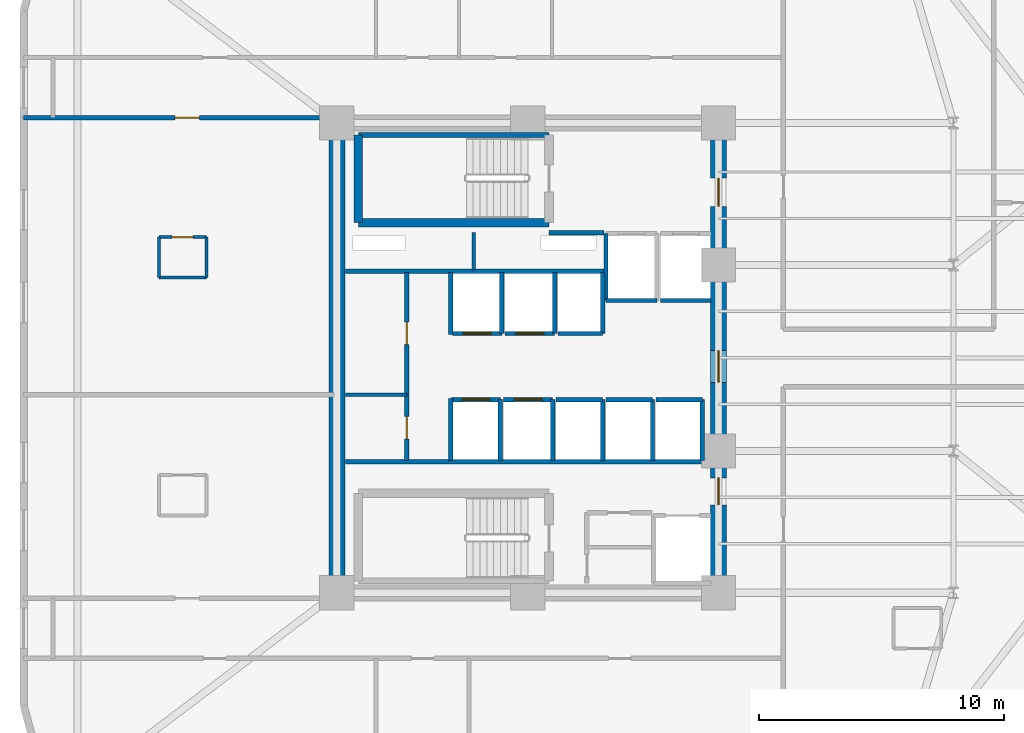
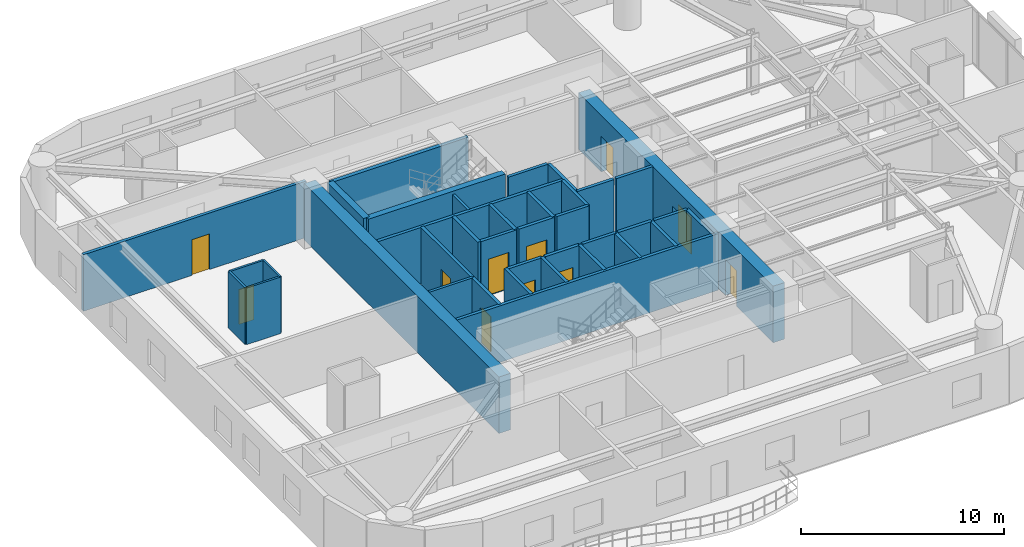
# One storey, part 11 of 16: 38 walls, 11 doors, 11 openings.
"""IFC4 building model written with IfcOpenShell, lengths in metres."""

import ifcopenshell
import ifcopenshell.guid

model = None  # the IFC model being written
_history = None  # IfcOwnerHistory: only IFC2X3 demands one
_inside = {}  # id of a spatial element -> (the spatial element, [elements in it])
_under = {}  # id of a project, library or spatial element -> (it, [spatial elements below it])
_declared = {}  # id of a project -> (the project, [libraries it declares])
_typed = {}  # id of a type object -> (the type object, [elements of that type])
_made_of = {}  # id of a material, layer set ... -> (it, [elements and type objects made of it])


def new_model(schema):
    """Start an empty IFC model of exactly this schema.

    Asked for "IFC4X3", IfcOpenShell would pick the latest addendum, in which some entities
    have other attributes; the version numbers below select the first issue.
    IFC2X3 requires an IfcOwnerHistory on every rooted entity: one is made here for all.
    """
    global model, _history
    if schema == "IFC4X3":
        model = ifcopenshell.file(schema_version=(4, 3, 0, 0))
    else:
        model = ifcopenshell.file(schema=schema)
    _inside.clear()
    _under.clear()
    _declared.clear()
    _typed.clear()
    _made_of.clear()
    _history = None
    if model.schema == "IFC2X3":
        org = make("IfcOrganization", Name="unknown")
        user = make(
            "IfcPersonAndOrganization",
            ThePerson=make("IfcPerson", FamilyName="unknown"),
            TheOrganization=org,
        )
        app = make(
            "IfcApplication",
            ApplicationDeveloper=org,
            Version="unknown",
            ApplicationFullName="unknown",
            ApplicationIdentifier="unknown",
        )
        _history = make(
            "IfcOwnerHistory",
            OwningUser=user,
            OwningApplication=app,
            ChangeAction="ADDED",
            CreationDate=0,
        )
    return model


def make(cls, **values):
    """One entity of the class cls with the attributes given. An attribute that is None is left unset."""
    return model.create_entity(
        cls, **{name: value for name, value in values.items() if value is not None}
    )


def rooted(cls, **values):
    """An entity with a GlobalId (a new one), such as an element, a storey or a relation."""
    return make(cls, GlobalId=ifcopenshell.guid.new(), OwnerHistory=_history, **values)


def si_unit(unit_type, name, prefix=None):
    """IfcSIUnit, for example si_unit("LENGTHUNIT", "METRE", prefix="MILLI")."""
    return make("IfcSIUnit", UnitType=unit_type, Prefix=prefix, Name=name)


def assignment(units):
    """IfcUnitAssignment: the units of a project."""
    return None if units is None else make("IfcUnitAssignment", Units=units)


def point(xyz):
    """IfcCartesianPoint."""
    return None if xyz is None else make("IfcCartesianPoint", Coordinates=xyz)


def direction(xyz):
    """IfcDirection."""
    return None if xyz is None else make("IfcDirection", DirectionRatios=xyz)


def frame(location, z_axis=None, x_axis=None):
    """IfcAxis2Placement3D, a coordinate frame: its origin and axes. An axis left out is left unset."""
    return make(
        "IfcAxis2Placement3D",
        Location=point(location),
        Axis=direction(z_axis),
        RefDirection=direction(x_axis),
    )


def frame_2d(location, x_axis=None):
    """IfcAxis2Placement2D, a coordinate frame in the plane: its origin and x axis."""
    return make(
        "IfcAxis2Placement2D", Location=point(location), RefDirection=direction(x_axis)
    )


def origin():
    """The frame at (0, 0, 0) with its axes left unset."""
    return frame((0.0, 0.0, 0.0))


def place(relative_to, where):
    """IfcLocalPlacement: puts the frame where relative to a parent placement (None: the world)."""
    return make(
        "IfcLocalPlacement", PlacementRelTo=relative_to, RelativePlacement=where
    )


def context(
    kind, dimensions, precision=None, world=None, true_north=None, identifier=None
):
    """IfcGeometricRepresentationContext, for example the 3D "Model" context."""
    return make(
        "IfcGeometricRepresentationContext",
        ContextIdentifier=identifier,
        ContextType=kind,
        CoordinateSpaceDimension=dimensions,
        Precision=precision,
        WorldCoordinateSystem=world,
        TrueNorth=true_north,
    )


def subcontext(parent, identifier, kind, view, scale=None):
    """IfcGeometricRepresentationSubContext, for example "Body" below "Model"."""
    return make(
        "IfcGeometricRepresentationSubContext",
        ContextIdentifier=identifier,
        ContextType=kind,
        ParentContext=parent,
        TargetScale=scale,
        TargetView=view,
    )


def project(units=None, contexts=None):
    """IfcProject with its units and contexts."""
    return rooted(
        "IfcProject",
        Name="project",
        RepresentationContexts=contexts,
        UnitsInContext=assignment(units),
    )


def spatial(cls, under=None, at=None, **own):
    """A site, building, storey or space (cls), placed at a placement, below another one or the project."""
    s = rooted(cls, ObjectPlacement=at, **own)
    if under is not None:
        _under.setdefault(under.id(), (under, []))[1].append(s)
    return s


def profile(cls, at=None, kind="AREA", **sizes):
    """A parametric profile (cls). Its sizes go by their IFC names, for example OverallWidth=200.0."""
    return make(cls, ProfileType=kind, Position=at, **sizes)


def rectangle(**sizes):
    """IfcRectangleProfileDef."""
    return profile("IfcRectangleProfileDef", **sizes)


def extrude(swept, where, along, depth):
    """IfcExtrudedAreaSolid: the profile swept, set in the frame where, extruded along a direction by depth."""
    return make(
        "IfcExtrudedAreaSolid",
        SweptArea=swept,
        Position=where,
        ExtrudedDirection=direction(along),
        Depth=depth,
    )


def shape(context_of_items, identifier, shape_type, items):
    """IfcShapeRepresentation: the items that make up one representation, for example the "Body"."""
    return make(
        "IfcShapeRepresentation",
        ContextOfItems=context_of_items,
        RepresentationIdentifier=identifier,
        RepresentationType=shape_type,
        Items=items,
    )


def material(Name=None, Category=None):
    """IfcMaterial."""
    return make("IfcMaterial", Name=Name, Category=Category)


def layer(
    of_material, thickness, ventilated=None, Name=None, Category=None, Priority=None
):
    """IfcMaterialLayer: one layer of a wall or slab, of a material (None: an air gap)."""
    return make(
        "IfcMaterialLayer",
        Material=of_material,
        LayerThickness=thickness,
        IsVentilated=ventilated,
        Name=Name,
        Category=Category,
        Priority=Priority,
    )


def layer_set(layers, Name=None):
    """IfcMaterialLayerSet."""
    return make("IfcMaterialLayerSet", MaterialLayers=layers, LayerSetName=Name)


def made_of(thing, what):
    """Note that an element or type object is made of a material, layer set ...; save() writes the relation."""
    if what is not None:
        _made_of.setdefault(what.id(), (what, []))[1].append(thing)
    return thing


def type_object(cls, material=None, **own):
    """A type object (cls), such as IfcWallType, which elements share."""
    return made_of(rooted(cls, **own), material)


def element(
    cls,
    number,
    at=None,
    inside=None,
    cuts=None,
    type_object=None,
    material=None,
    context=None,
    identifier="Body",
    shape_type=None,
    held_by="IfcProductDefinitionShape",
    body=None,
    shapes=None,
    **own,
):
    """One element of the class cls, such as IfcWall. Its Tag is "e" and its number.

    at: its placement. inside: the storey or other place that contains it. cuts: it is an
    opening in that element (IfcRelVoidsElement). A single representation is given by context,
    identifier, shape_type and body (its items); several are given by shapes. held_by: the class
    of the entity that holds the representations. save() writes the other relations.
    """
    e = rooted(cls, Tag="e%d" % number, ObjectPlacement=at, **own)
    if body is not None:
        shapes = [shape(context, identifier, shape_type, body)]
    if shapes is not None:
        e.Representation = make(held_by, Representations=shapes)
    if inside is not None:
        _inside.setdefault(inside.id(), (inside, []))[1].append(e)
    if cuts is not None:
        rooted(
            "IfcRelVoidsElement", RelatingBuildingElement=cuts, RelatedOpeningElement=e
        )
    if type_object is not None:
        _typed.setdefault(type_object.id(), (type_object, []))[1].append(e)
    return made_of(e, material)


def fill(opening, filler):
    """IfcRelFillsElement: the door or window that sits in an opening."""
    return rooted(
        "IfcRelFillsElement",
        RelatingOpeningElement=opening,
        RelatedBuildingElement=filler,
    )


def aggregate(whole, parts):
    """IfcRelAggregates: a whole, such as a stair, and the parts it consists of."""
    return rooted("IfcRelAggregates", RelatingObject=whole, RelatedObjects=parts)


def save(model, path):
    """Write the relations noted so far, then the file.

    IfcRelAggregates (storeys below a building ...), IfcRelContainedInSpatialStructure (elements
    in a storey), IfcRelDefinesByType, IfcRelAssociatesMaterial and IfcRelDeclares: one each for
    every whole, place, type object, material and project.
    """
    for whole, parts in _under.values():
        aggregate(whole, parts)
    for where, things in _inside.values():
        rooted(
            "IfcRelContainedInSpatialStructure",
            RelatedElements=things,
            RelatingStructure=where,
        )
    for kind, things in _typed.values():
        rooted("IfcRelDefinesByType", RelatedObjects=things, RelatingType=kind)
    for what, things in _made_of.values():
        rooted("IfcRelAssociatesMaterial", RelatedObjects=things, RelatingMaterial=what)
    for by, libraries in _declared.values():
        rooted("IfcRelDeclares", RelatingContext=by, RelatedDefinitions=libraries)
    model.write(path)


model = new_model("IFC4")

# Units and contexts
model_context = context("Model", 3, precision=1e-05, world=origin(), true_north=direction((0.0, 1.0)))
body_context = subcontext(model_context, "Body", "Model", "MODEL_VIEW")
ifc_project = project(units=[si_unit("LENGTHUNIT", "METRE"), si_unit("AREAUNIT", "SQUARE_METRE"), si_unit("VOLUMEUNIT", "CUBIC_METRE"), si_unit("PLANEANGLEUNIT", "RADIAN"), si_unit("MASSUNIT", "GRAM", prefix="KILO")], contexts=[model_context])

# Site, building, storey
site_placement = place(None, origin())
site = spatial("IfcSite", under=ifc_project, at=site_placement, CompositionType="ELEMENT")
building_placement = place(site_placement, origin())
building = spatial("IfcBuilding", under=site, at=building_placement, Name="An Khanh Terracotta Commons", CompositionType="ELEMENT")
storey_placement = place(building_placement, frame((0.0, 0.0, 107.89990234375)))
storey = spatial("IfcBuildingStorey", under=building, at=storey_placement, Name="L28", CompositionType="ELEMENT", Elevation=107.89990234375)

# Wall
ifc_material_1 = material(Name="Concrete C60/75", Category="concrete")
ifc_layer_1 = layer(ifc_material_1, 0.64990234375, Name="Concrete C60/75")
ifc_layer_set_1 = layer_set([ifc_layer_1], Name="Concrete C60/75")
wall_type_1 = type_object("IfcWallType", Name="WALL-CORE-650", PredefinedType="SHEAR", material=ifc_layer_set_1)
wall_1_placement = place(storey_placement, frame((21.60009765625, 14.39990234375, 0.0), z_axis=(0.0, 0.0, 1.0), x_axis=(0.0, 1.0, 0.0)))
element("IfcWall", 1, at=wall_1_placement, inside=storey, type_object=wall_type_1, Name="L28 Core Wall CWALL-L28-W", PredefinedType="SHEAR", context=body_context, shape_type="SweptSolid", body=[
    extrude(rectangle(XDim=19.2001953125, YDim=0.64990234375, at=frame_2d((9.60009765625, 0.0))), origin(), (0.0, 0.0, 1.0), 3.400146484375),
])

# Wall, openings, doors
wall_2_placement = place(storey_placement, frame((37.199951171875, 14.39990234375, 0.0), z_axis=(0.0, 0.0, 1.0), x_axis=(0.0, 1.0, 0.0)))
wall_2 = element("IfcWall", 2, at=wall_2_placement, inside=storey, type_object=wall_type_1, Name="L28 Core Wall CWALL-L28-E", PredefinedType="SHEAR", context=body_context, shape_type="SweptSolid", body=[
    extrude(rectangle(XDim=19.2001953125, YDim=0.64990234375, at=frame_2d((9.60009765625, 0.0))), origin(), (0.0, 0.0, 1.0), 3.400146484375),
])
opening_1_placement = place(wall_2_placement, frame((15.800048828125, 0.0, 0.0)))
opening_1 = element("IfcOpeningElement", 3, at=opening_1_placement, cuts=wall_2, Name="Opening D-FFL", PredefinedType="OPENING", context=body_context, shape_type="SweptSolid", body=[
    extrude(rectangle(XDim=1.14990234375, YDim=2.14990234375, at=frame_2d((0.574951171875, 1.074951171875))), frame((0.0, 0.3349609375, 0.0), z_axis=(0.0, -1.0, 0.0), x_axis=(1.0, 0.0, 0.0)), (0.0, 0.0, 1.0), 0.669921875),
])
opening_2_placement = place(wall_2_placement, frame((3.60009765625, 0.0, 0.0)))
opening_2 = element("IfcOpeningElement", 4, at=opening_2_placement, cuts=wall_2, Name="Opening D-ST", PredefinedType="OPENING", context=body_context, shape_type="SweptSolid", body=[
    extrude(rectangle(XDim=1.10009765625, YDim=2.14990234375, at=frame_2d((0.550048828125, 1.074951171875))), frame((0.0, 0.3349609375, 0.0), z_axis=(0.0, -1.0, 0.0), x_axis=(1.0, 0.0, 0.0)), (0.0, 0.0, 1.0), 0.669921875),
])
opening_3_placement = place(wall_2_placement, frame((8.60009765625, 0.0, 0.0)))
opening_3 = element("IfcOpeningElement", 5, at=opening_3_placement, cuts=wall_2, Name="Opening D-COR", PredefinedType="OPENING", context=body_context, shape_type="SweptSolid", body=[
    extrude(rectangle(XDim=1.300048828125, YDim=2.199951171875, at=frame_2d((0.64990234375, 1.10009765625))), frame((0.0, 0.3349609375, 0.0), z_axis=(0.0, -1.0, 0.0), x_axis=(1.0, 0.0, 0.0)), (0.0, 0.0, 1.0), 0.669921875),
])
ifc_material_2 = material(Name="Fire-Rated Glazed Steel Double Door", Category="steel")
door_type_1 = type_object("IfcDoorType", Name="DOOR-CORR-1300", OperationType="NOTDEFINED", PredefinedType="DOOR", material=ifc_material_2)
door_1_placement = place(opening_3_placement, origin())
door_1 = element("IfcDoor", 6, at=door_1_placement, inside=storey, type_object=door_type_1, Name="L28 Passenger Lift Lobby Double Door", OperationType="DOUBLE_DOOR_SINGLE_SWING", OverallHeight=2.199951171875, OverallWidth=1.300048828125, PredefinedType="DOOR", context=body_context, shape_type="SweptSolid", body=[
    extrude(rectangle(XDim=1.300048828125, YDim=2.199951171875, at=frame_2d((0.64990234375, 1.10009765625))), frame((0.0, 0.02490234375, 0.0), z_axis=(0.0, -1.0, 0.0), x_axis=(1.0, 0.0, 0.0)), (0.0, 0.0, 1.0), 0.050048828125),
])
fill(opening_3, door_1)
ifc_material_3 = material(Name="Fire-Rated Steel Leaf and Vision Panel", Category="steel")
door_type_2 = type_object("IfcDoorType", Name="DOOR-FFL-1150", OperationType="NOTDEFINED", PredefinedType="DOOR", material=ifc_material_3)
door_2_placement = place(opening_1_placement, origin())
door_2 = element("IfcDoor", 7, at=door_2_placement, inside=storey, type_object=door_type_2, Name="L28 Firefighting Lift Lobby Fire Door", OperationType="SINGLE_SWING_LEFT", OverallHeight=2.14990234375, OverallWidth=1.14990234375, PredefinedType="DOOR", context=body_context, shape_type="SweptSolid", body=[
    extrude(rectangle(XDim=1.14990234375, YDim=2.14990234375, at=frame_2d((0.574951171875, 1.074951171875))), frame((0.0, 0.02490234375, 0.0), z_axis=(0.0, -1.0, 0.0), x_axis=(1.0, 0.0, 0.0)), (0.0, 0.0, 1.0), 0.050048828125),
])
fill(opening_1, door_2)
ifc_material_4 = material(Name="Fire-Rated Steel Leaf and Frame", Category="steel")
door_type_3 = type_object("IfcDoorType", Name="DOOR-STAIR-1100", OperationType="NOTDEFINED", PredefinedType="DOOR", material=ifc_material_4)
door_3_placement = place(opening_2_placement, origin())
door_3 = element("IfcDoor", 8, at=door_3_placement, inside=storey, type_object=door_type_3, Name="L28 South Stair Lobby Fire Door", OperationType="SINGLE_SWING_RIGHT", OverallHeight=2.14990234375, OverallWidth=1.10009765625, PredefinedType="DOOR", context=body_context, shape_type="SweptSolid", body=[
    extrude(rectangle(XDim=1.10009765625, YDim=2.14990234375, at=frame_2d((0.550048828125, 1.074951171875))), frame((0.0, 0.02490234375, 0.0), z_axis=(0.0, -1.0, 0.0), x_axis=(1.0, 0.0, 0.0)), (0.0, 0.0, 1.0), 0.050048828125),
])
fill(opening_2, door_3)

# Walls
ifc_material_5 = material(Name="Fire-Rated Gypsum Board on Steel Stud", Category="steel")
ifc_layer_2 = layer(ifc_material_5, 0.179931640625, Name="Fire-Rated Gypsum Board on Steel Stud")
ifc_layer_set_2 = layer_set([ifc_layer_2], Name="Fire-Rated Gypsum Board on Steel Stud")
wall_type_2 = type_object("IfcWallType", Name="WALL-CORR-180", PredefinedType="PARTITIONING", material=ifc_layer_set_2)
wall_3_placement = place(storey_placement, frame((30.27001953125, 29.1201171875, 0.0), z_axis=(0.0, 0.0, 1.0), x_axis=(1.0, 0.0, 0.0)))
element("IfcWall", 9, at=wall_3_placement, inside=storey, type_object=wall_type_2, Name="L28 Core Wall FFLW-L28-S", PredefinedType="PARTITIONING", context=body_context, shape_type="SweptSolid", body=[
    extrude(rectangle(XDim=2.239990234375, YDim=0.179931640625, at=frame_2d((1.1201171875, 0.0))), origin(), (0.0, 0.0, 1.0), 3.400146484375),
])
wall_4_placement = place(storey_placement, frame((21.949951171875, 27.5400390625, 0.0), z_axis=(0.0, 0.0, 1.0), x_axis=(1.0, 0.0, 0.0)))
element("IfcWall", 10, at=wall_4_placement, inside=storey, type_object=wall_type_2, Name="L28 Core Wall RSRW-L28-S", PredefinedType="PARTITIONING", context=body_context, shape_type="SweptSolid", body=[
    extrude(rectangle(XDim=10.56005859375, YDim=0.179931640625, at=frame_2d((5.280029296875, 0.0))), origin(), (0.0, 0.0, 1.0), 3.400146484375),
])
wall_5_placement = place(storey_placement, frame((21.949951171875, 19.760009765625, 0.0), z_axis=(0.0, 0.0, 1.0), x_axis=(1.0, 0.0, 0.0)))
element("IfcWall", 11, at=wall_5_placement, inside=storey, type_object=wall_type_2, Name="L28 Core Wall SVW-L28-N", PredefinedType="PARTITIONING", context=body_context, shape_type="SweptSolid", body=[
    extrude(rectangle(XDim=14.8701171875, YDim=0.179931640625, at=frame_2d((7.43505859375, 0.0))), origin(), (0.0, 0.0, 1.0), 3.400146484375),
])
wall_6_placement = place(storey_placement, frame((34.679931640625, 26.35009765625, 0.0), z_axis=(0.0, 0.0, 1.0), x_axis=(-1.0, 0.0, 0.0)))
element("IfcWall", 12, at=wall_6_placement, inside=storey, type_object=wall_type_2, Name="L28 Core Wall LSH-L28-FFL-01-S", PredefinedType="PARTITIONING", context=body_context, shape_type="SweptSolid", body=[
    extrude(rectangle(XDim=2.079833984375, YDim=0.179931640625, at=frame_2d((1.0400390625, 0.0))), origin(), (0.0, 0.0, 1.0), 3.400146484375),
])
wall_7_placement = place(storey_placement, frame((32.60009765625, 29.080078125, 0.0), z_axis=(0.0, 0.0, 1.0), x_axis=(0.0, -1.0, 0.0)))
element("IfcWall", 13, at=wall_7_placement, inside=storey, type_object=wall_type_2, Name="L28 Core Wall LSH-L28-FFL-01-W", PredefinedType="PARTITIONING", context=body_context, shape_type="SweptSolid", body=[
    extrude(rectangle(XDim=2.72998046875, YDim=0.179931640625, at=frame_2d((1.364990234375, 0.0))), origin(), (0.0, 0.0, 1.0), 3.400146484375),
])
wall_8_placement = place(storey_placement, frame((36.89990234375, 26.35009765625, 0.0), z_axis=(0.0, 0.0, 1.0), x_axis=(-1.0, 0.0, 0.0)))
element("IfcWall", 14, at=wall_8_placement, inside=storey, type_object=wall_type_2, Name="L28 Core Wall LSH-L28-FFL-02-S", PredefinedType="PARTITIONING", context=body_context, shape_type="SweptSolid", body=[
    extrude(rectangle(XDim=2.079833984375, YDim=0.179931640625, at=frame_2d((1.0400390625, 0.0))), origin(), (0.0, 0.0, 1.0), 3.400146484375),
])

# Wall, opening, door
wall_9_placement = place(storey_placement, frame((28.340087890625, 25.0, 0.0), z_axis=(0.0, 0.0, 1.0), x_axis=(-1.0, 0.0, 0.0)))
wall_9 = element("IfcWall", 15, at=wall_9_placement, inside=storey, type_object=wall_type_2, Name="L28 Core Wall LSH-L28-PL-M1-S", PredefinedType="PARTITIONING", context=body_context, shape_type="SweptSolid", body=[
    extrude(rectangle(XDim=2.02001953125, YDim=0.179931640625, at=frame_2d((1.010009765625, 0.0))), origin(), (0.0, 0.0, 1.0), 3.400146484375),
])
opening_4_placement = place(wall_9_placement, frame((0.43505859375, 0.0, 0.0)))
opening_4 = element("IfcOpeningElement", 16, at=opening_4_placement, cuts=wall_9, Name="Opening LD-PL-M1-L28", PredefinedType="OPENING", context=body_context, shape_type="SweptSolid", body=[
    extrude(rectangle(XDim=1.14990234375, YDim=2.199951171875, at=frame_2d((0.574951171875, 1.10009765625))), frame((0.0, 0.099853515625, 0.0), z_axis=(0.0, -1.0, 0.0), x_axis=(1.0, 0.0, 0.0)), (0.0, 0.0, 1.0), 0.199951171875),
])
ifc_material_6 = material(Name="Brushed Stainless Steel Passenger Landing Door", Category="steel")
door_type_4 = type_object("IfcDoorType", Name="DOOR-LD-PAX-1150", OperationType="NOTDEFINED", PredefinedType="DOOR", material=ifc_material_6)
door_4_placement = place(opening_4_placement, origin())
door_4 = element("IfcDoor", 17, at=door_4_placement, inside=storey, type_object=door_type_4, Name="L28 Lift PL-M1 Sliding Landing Door", OperationType="DOUBLE_DOOR_SLIDING", OverallHeight=2.199951171875, OverallWidth=1.14990234375, PredefinedType="DOOR", context=body_context, shape_type="SweptSolid", body=[
    extrude(rectangle(XDim=1.14990234375, YDim=2.199951171875, at=frame_2d((0.574951171875, 1.10009765625))), frame((0.0, 0.02490234375, 0.0), z_axis=(0.0, -1.0, 0.0), x_axis=(1.0, 0.0, 0.0)), (0.0, 0.0, 1.0), 0.050048828125),
])
fill(opening_4, door_4)

# Wall
wall_10_placement = place(storey_placement, frame((28.340087890625, 25.0, 0.0), z_axis=(0.0, 0.0, 1.0), x_axis=(0.0, 1.0, 0.0)))
element("IfcWall", 18, at=wall_10_placement, inside=storey, type_object=wall_type_2, Name="L28 Core Wall LSH-L28-PL-M1-E", PredefinedType="PARTITIONING", context=body_context, shape_type="SweptSolid", body=[
    extrude(rectangle(XDim=2.5, YDim=0.179931640625, at=frame_2d((1.25, 0.0))), origin(), (0.0, 0.0, 1.0), 3.400146484375),
])

# Wall, opening, door
wall_11_placement = place(storey_placement, frame((30.5, 25.0, 0.0), z_axis=(0.0, 0.0, 1.0), x_axis=(-1.0, 0.0, 0.0)))
wall_11 = element("IfcWall", 19, at=wall_11_placement, inside=storey, type_object=wall_type_2, Name="L28 Core Wall LSH-L28-PL-M2-S", PredefinedType="PARTITIONING", context=body_context, shape_type="SweptSolid", body=[
    extrude(rectangle(XDim=2.02001953125, YDim=0.179931640625, at=frame_2d((1.010009765625, 0.0))), origin(), (0.0, 0.0, 1.0), 3.400146484375),
])
opening_5_placement = place(wall_11_placement, frame((0.43505859375, 0.0, 0.0)))
opening_5 = element("IfcOpeningElement", 20, at=opening_5_placement, cuts=wall_11, Name="Opening LD-PL-M2-L28", PredefinedType="OPENING", context=body_context, shape_type="SweptSolid", body=[
    extrude(rectangle(XDim=1.14990234375, YDim=2.199951171875, at=frame_2d((0.574951171875, 1.10009765625))), frame((0.0, 0.099853515625, 0.0), z_axis=(0.0, -1.0, 0.0), x_axis=(1.0, 0.0, 0.0)), (0.0, 0.0, 1.0), 0.199951171875),
])
door_5_placement = place(opening_5_placement, origin())
door_5 = element("IfcDoor", 21, at=door_5_placement, inside=storey, type_object=door_type_4, Name="L28 Lift PL-M2 Sliding Landing Door", OperationType="DOUBLE_DOOR_SLIDING", OverallHeight=2.199951171875, OverallWidth=1.14990234375, PredefinedType="DOOR", context=body_context, shape_type="SweptSolid", body=[
    extrude(rectangle(XDim=1.14990234375, YDim=2.199951171875, at=frame_2d((0.574951171875, 1.10009765625))), frame((0.0, 0.02490234375, 0.0), z_axis=(0.0, -1.0, 0.0), x_axis=(1.0, 0.0, 0.0)), (0.0, 0.0, 1.0), 0.050048828125),
])
fill(opening_5, door_5)

# Wall
wall_12_placement = place(storey_placement, frame((30.5, 25.0, 0.0), z_axis=(0.0, 0.0, 1.0), x_axis=(0.0, 1.0, 0.0)))
element("IfcWall", 22, at=wall_12_placement, inside=storey, type_object=wall_type_2, Name="L28 Core Wall LSH-L28-PL-M2-E", PredefinedType="PARTITIONING", context=body_context, shape_type="SweptSolid", body=[
    extrude(rectangle(XDim=2.5, YDim=0.179931640625, at=frame_2d((1.25, 0.0))), origin(), (0.0, 0.0, 1.0), 3.400146484375),
])

# Wall, opening, door
wall_13_placement = place(storey_placement, frame((26.280029296875, 22.300048828125, 0.0), z_axis=(0.0, 0.0, 1.0), x_axis=(1.0, 0.0, 0.0)))
wall_13 = element("IfcWall", 23, at=wall_13_placement, inside=storey, type_object=wall_type_2, Name="L28 Core Wall LSH-L28-PL-M3-N", PredefinedType="PARTITIONING", context=body_context, shape_type="SweptSolid", body=[
    extrude(rectangle(XDim=2.0, YDim=0.179931640625, at=frame_2d((1.0, 0.0))), origin(), (0.0, 0.0, 1.0), 3.400146484375),
])
opening_6_placement = place(wall_13_placement, frame((0.425048828125, 0.0, 0.0)))
opening_6 = element("IfcOpeningElement", 24, at=opening_6_placement, cuts=wall_13, Name="Opening LD-PL-M3-L28", PredefinedType="OPENING", context=body_context, shape_type="SweptSolid", body=[
    extrude(rectangle(XDim=1.14990234375, YDim=2.199951171875, at=frame_2d((0.574951171875, 1.10009765625))), frame((0.0, 0.099853515625, 0.0), z_axis=(0.0, -1.0, 0.0), x_axis=(1.0, 0.0, 0.0)), (0.0, 0.0, 1.0), 0.199951171875),
])
door_6_placement = place(opening_6_placement, origin())
door_6 = element("IfcDoor", 25, at=door_6_placement, inside=storey, type_object=door_type_4, Name="L28 Lift PL-M3 Sliding Landing Door", OperationType="DOUBLE_DOOR_SLIDING", OverallHeight=2.199951171875, OverallWidth=1.14990234375, PredefinedType="DOOR", context=body_context, shape_type="SweptSolid", body=[
    extrude(rectangle(XDim=1.14990234375, YDim=2.199951171875, at=frame_2d((0.574951171875, 1.10009765625))), frame((0.0, 0.02490234375, 0.0), z_axis=(0.0, -1.0, 0.0), x_axis=(1.0, 0.0, 0.0)), (0.0, 0.0, 1.0), 0.050048828125),
])
fill(opening_6, door_6)

# Wall
wall_14_placement = place(storey_placement, frame((28.280029296875, 19.800048828125, 0.0), z_axis=(0.0, 0.0, 1.0), x_axis=(0.0, 1.0, 0.0)))
element("IfcWall", 26, at=wall_14_placement, inside=storey, type_object=wall_type_2, Name="L28 Core Wall LSH-L28-PL-M3-E", PredefinedType="PARTITIONING", context=body_context, shape_type="SweptSolid", body=[
    extrude(rectangle(XDim=2.5, YDim=0.179931640625, at=frame_2d((1.25, 0.0))), origin(), (0.0, 0.0, 1.0), 3.400146484375),
])

# Wall, opening, door
wall_15_placement = place(storey_placement, frame((28.419921875, 22.300048828125, 0.0), z_axis=(0.0, 0.0, 1.0), x_axis=(1.0, 0.0, 0.0)))
wall_15 = element("IfcWall", 27, at=wall_15_placement, inside=storey, type_object=wall_type_2, Name="L28 Core Wall LSH-L28-PL-M4-N", PredefinedType="PARTITIONING", context=body_context, shape_type="SweptSolid", body=[
    extrude(rectangle(XDim=2.0, YDim=0.179931640625, at=frame_2d((1.0, 0.0))), origin(), (0.0, 0.0, 1.0), 3.400146484375),
])
opening_7_placement = place(wall_15_placement, frame((0.425048828125, 0.0, 0.0)))
opening_7 = element("IfcOpeningElement", 28, at=opening_7_placement, cuts=wall_15, Name="Opening LD-PL-M4-L28", PredefinedType="OPENING", context=body_context, shape_type="SweptSolid", body=[
    extrude(rectangle(XDim=1.14990234375, YDim=2.199951171875, at=frame_2d((0.574951171875, 1.10009765625))), frame((0.0, 0.099853515625, 0.0), z_axis=(0.0, -1.0, 0.0), x_axis=(1.0, 0.0, 0.0)), (0.0, 0.0, 1.0), 0.199951171875),
])
door_7_placement = place(opening_7_placement, origin())
door_7 = element("IfcDoor", 29, at=door_7_placement, inside=storey, type_object=door_type_4, Name="L28 Lift PL-M4 Sliding Landing Door", OperationType="DOUBLE_DOOR_SLIDING", OverallHeight=2.199951171875, OverallWidth=1.14990234375, PredefinedType="DOOR", context=body_context, shape_type="SweptSolid", body=[
    extrude(rectangle(XDim=1.14990234375, YDim=2.199951171875, at=frame_2d((0.574951171875, 1.10009765625))), frame((0.0, 0.02490234375, 0.0), z_axis=(0.0, -1.0, 0.0), x_axis=(1.0, 0.0, 0.0)), (0.0, 0.0, 1.0), 0.050048828125),
])
fill(opening_7, door_7)

# Walls
wall_16_placement = place(storey_placement, frame((30.419921875, 19.800048828125, 0.0), z_axis=(0.0, 0.0, 1.0), x_axis=(0.0, 1.0, 0.0)))
element("IfcWall", 30, at=wall_16_placement, inside=storey, type_object=wall_type_2, Name="L28 Core Wall LSH-L28-PL-M4-E", PredefinedType="PARTITIONING", context=body_context, shape_type="SweptSolid", body=[
    extrude(rectangle(XDim=2.5, YDim=0.179931640625, at=frame_2d((1.25, 0.0))), origin(), (0.0, 0.0, 1.0), 3.400146484375),
])
wall_17_placement = place(storey_placement, frame((32.4599609375, 25.0, 0.0), z_axis=(0.0, 0.0, 1.0), x_axis=(-1.0, 0.0, 0.0)))
element("IfcWall", 31, at=wall_17_placement, inside=storey, type_object=wall_type_2, Name="L28 Core Wall LSH-L28-PL-H1-S", PredefinedType="PARTITIONING", context=body_context, shape_type="SweptSolid", body=[
    extrude(rectangle(XDim=1.820068359375, YDim=0.179931640625, at=frame_2d((0.91015625, 0.0))), origin(), (0.0, 0.0, 1.0), 3.400146484375),
])
wall_18_placement = place(storey_placement, frame((32.4599609375, 25.0, 0.0), z_axis=(0.0, 0.0, 1.0), x_axis=(0.0, 1.0, 0.0)))
element("IfcWall", 32, at=wall_18_placement, inside=storey, type_object=wall_type_2, Name="L28 Core Wall LSH-L28-PL-H1-E", PredefinedType="PARTITIONING", context=body_context, shape_type="SweptSolid", body=[
    extrude(rectangle(XDim=2.5, YDim=0.179931640625, at=frame_2d((1.25, 0.0))), origin(), (0.0, 0.0, 1.0), 3.400146484375),
])
wall_19_placement = place(storey_placement, frame((30.56005859375, 22.300048828125, 0.0), z_axis=(0.0, 0.0, 1.0), x_axis=(1.0, 0.0, 0.0)))
element("IfcWall", 33, at=wall_19_placement, inside=storey, type_object=wall_type_2, Name="L28 Core Wall LSH-L28-PL-H2-N", PredefinedType="PARTITIONING", context=body_context, shape_type="SweptSolid", body=[
    extrude(rectangle(XDim=1.89990234375, YDim=0.179931640625, at=frame_2d((0.949951171875, 0.0))), origin(), (0.0, 0.0, 1.0), 3.400146484375),
])
wall_20_placement = place(storey_placement, frame((32.4599609375, 19.800048828125, 0.0), z_axis=(0.0, 0.0, 1.0), x_axis=(0.0, 1.0, 0.0)))
element("IfcWall", 34, at=wall_20_placement, inside=storey, type_object=wall_type_2, Name="L28 Core Wall LSH-L28-PL-H2-E", PredefinedType="PARTITIONING", context=body_context, shape_type="SweptSolid", body=[
    extrude(rectangle(XDim=2.5, YDim=0.179931640625, at=frame_2d((1.25, 0.0))), origin(), (0.0, 0.0, 1.0), 3.400146484375),
])
wall_21_placement = place(storey_placement, frame((32.60009765625, 22.300048828125, 0.0), z_axis=(0.0, 0.0, 1.0), x_axis=(1.0, 0.0, 0.0)))
element("IfcWall", 35, at=wall_21_placement, inside=storey, type_object=wall_type_2, Name="L28 Core Wall LSH-L28-PL-H3-N", PredefinedType="PARTITIONING", context=body_context, shape_type="SweptSolid", body=[
    extrude(rectangle(XDim=1.89990234375, YDim=0.179931640625, at=frame_2d((0.949951171875, 0.0))), origin(), (0.0, 0.0, 1.0), 3.400146484375),
])
wall_22_placement = place(storey_placement, frame((34.5, 19.800048828125, 0.0), z_axis=(0.0, 0.0, 1.0), x_axis=(0.0, 1.0, 0.0)))
element("IfcWall", 36, at=wall_22_placement, inside=storey, type_object=wall_type_2, Name="L28 Core Wall LSH-L28-PL-H3-E", PredefinedType="PARTITIONING", context=body_context, shape_type="SweptSolid", body=[
    extrude(rectangle(XDim=2.5, YDim=0.179931640625, at=frame_2d((1.25, 0.0))), origin(), (0.0, 0.0, 1.0), 3.400146484375),
])
wall_23_placement = place(storey_placement, frame((34.639892578125, 22.300048828125, 0.0), z_axis=(0.0, 0.0, 1.0), x_axis=(1.0, 0.0, 0.0)))
element("IfcWall", 37, at=wall_23_placement, inside=storey, type_object=wall_type_2, Name="L28 Core Wall LSH-L28-PL-H4-N", PredefinedType="PARTITIONING", context=body_context, shape_type="SweptSolid", body=[
    extrude(rectangle(XDim=1.900146484375, YDim=0.179931640625, at=frame_2d((0.9501953125, 0.0))), origin(), (0.0, 0.0, 1.0), 3.400146484375),
])
wall_24_placement = place(storey_placement, frame((36.5400390625, 19.800048828125, 0.0), z_axis=(0.0, 0.0, 1.0), x_axis=(0.0, 1.0, 0.0)))
element("IfcWall", 38, at=wall_24_placement, inside=storey, type_object=wall_type_2, Name="L28 Core Wall LSH-L28-PL-H4-E", PredefinedType="PARTITIONING", context=body_context, shape_type="SweptSolid", body=[
    extrude(rectangle(XDim=2.5, YDim=0.179931640625, at=frame_2d((1.25, 0.0))), origin(), (0.0, 0.0, 1.0), 3.400146484375),
])

# Wall, opening, door
wall_25_placement = place(storey_placement, frame((24.4599609375, 22.5, 0.0), z_axis=(0.0, 0.0, 1.0), x_axis=(0.0, 1.0, 0.0)))
wall_25 = element("IfcWall", 39, at=wall_25_placement, inside=storey, type_object=wall_type_2, Name="L28 Core Wall RECW-L28-E1", PredefinedType="PARTITIONING", context=body_context, shape_type="SweptSolid", body=[
    extrude(rectangle(XDim=5.0, YDim=0.179931640625, at=frame_2d((2.5, 0.0))), origin(), (0.0, 0.0, 1.0), 3.400146484375),
])
opening_8_placement = place(wall_25_placement, frame((2.0400390625, 0.0, 0.0)))
opening_8 = element("IfcOpeningElement", 40, at=opening_8_placement, cuts=wall_25, Name="Opening D-RM", PredefinedType="OPENING", context=body_context, shape_type="SweptSolid", body=[
    extrude(rectangle(XDim=0.919921875, YDim=2.10009765625, at=frame_2d((0.4599609375, 1.050048828125))), frame((0.0, 0.099853515625, 0.0), z_axis=(0.0, -1.0, 0.0), x_axis=(1.0, 0.0, 0.0)), (0.0, 0.0, 1.0), 0.199951171875),
])
ifc_material_7 = material(Name="Engineered Hardwood Timber Leaf", Category="wood")
door_type_5 = type_object("IfcDoorType", Name="DOOR-INT-920", OperationType="NOTDEFINED", PredefinedType="DOOR", material=ifc_material_7)
door_8_placement = place(opening_8_placement, origin())
door_8 = element("IfcDoor", 41, at=door_8_placement, inside=storey, type_object=door_type_5, Name="L28 Resident Study Pod Door", OperationType="SINGLE_SWING_LEFT", OverallHeight=2.10009765625, OverallWidth=0.919921875, PredefinedType="DOOR", context=body_context, shape_type="SweptSolid", body=[
    extrude(rectangle(XDim=0.919921875, YDim=2.10009765625, at=frame_2d((0.4599609375, 1.050048828125))), frame((0.0, 0.02490234375, 0.0), z_axis=(0.0, -1.0, 0.0), x_axis=(1.0, 0.0, 0.0)), (0.0, 0.0, 1.0), 0.050048828125),
])
fill(opening_8, door_8)

wall_26_placement = place(storey_placement, frame((24.4599609375, 19.800048828125, 0.0), z_axis=(0.0, 0.0, 1.0), x_axis=(0.0, 1.0, 0.0)))
wall_26 = element("IfcWall", 42, at=wall_26_placement, inside=storey, type_object=wall_type_2, Name="L28 Core Wall RECW-L28-E2", PredefinedType="PARTITIONING", context=body_context, shape_type="SweptSolid", body=[
    extrude(rectangle(XDim=2.699951171875, YDim=0.179931640625, at=frame_2d((1.35009765625, 0.0))), origin(), (0.0, 0.0, 1.0), 3.400146484375),
])
opening_9_placement = place(wall_26_placement, frame((0.889892578125, 0.0, 0.0)))
opening_9 = element("IfcOpeningElement", 43, at=opening_9_placement, cuts=wall_26, Name="Opening D-RM", PredefinedType="OPENING", context=body_context, shape_type="SweptSolid", body=[
    extrude(rectangle(XDim=0.919921875, YDim=2.10009765625, at=frame_2d((0.4599609375, 1.050048828125))), frame((0.0, 0.099853515625, 0.0), z_axis=(0.0, -1.0, 0.0), x_axis=(1.0, 0.0, 0.0)), (0.0, 0.0, 1.0), 0.199951171875),
])
door_9_placement = place(opening_9_placement, origin())
door_9 = element("IfcDoor", 44, at=door_9_placement, inside=storey, type_object=door_type_5, Name="L28 Communal Laundry Room Door", OperationType="SINGLE_SWING_RIGHT", OverallHeight=2.10009765625, OverallWidth=0.919921875, PredefinedType="DOOR", context=body_context, shape_type="SweptSolid", body=[
    extrude(rectangle(XDim=0.919921875, YDim=2.10009765625, at=frame_2d((0.4599609375, 1.050048828125))), frame((0.0, 0.02490234375, 0.0), z_axis=(0.0, -1.0, 0.0), x_axis=(1.0, 0.0, 0.0)), (0.0, 0.0, 1.0), 0.050048828125),
])
fill(opening_9, door_9)

# Walls
for number, where, z_axis, x_axis, name in (
    (45, (26.25, 24.949951171875, 0.0), (0.0, 0.0, 1.0), (0.0, 1.0, 0.0), "L28 Core Wall RECW-L28-BE1"),
    (46, (26.25, 19.800048828125, 0.0), (0.0, 0.0, 1.0), (0.0, 1.0, 0.0), "L28 Core Wall RECW-L28-BE2"),
):
    element("IfcWall", number, at=place(storey_placement, frame(where, z_axis=z_axis, x_axis=x_axis)), inside=storey, type_object=wall_type_2, Name=name, PredefinedType="PARTITIONING", context=body_context, shape_type="SweptSolid", body=[
        extrude(rectangle(XDim=2.550048828125, YDim=0.179931640625, at=frame_2d((1.27490234375, 0.0))), origin(), (0.0, 0.0, 1.0), 3.400146484375),
    ])

# Wall, opening, door
wall_27_placement = place(storey_placement, frame((8.800048828125, 33.820068359375, 0.0), z_axis=(0.0, 0.0, 1.0), x_axis=(1.0, 0.0, 0.0)))
wall_27 = element("IfcWall", 47, at=wall_27_placement, inside=storey, type_object=wall_type_2, Name="L28 Interior Partition IW-L28-E009", PredefinedType="PARTITIONING", context=body_context, shape_type="SweptSolid", body=[
    extrude(rectangle(XDim=12.679931640625, YDim=0.179931640625, at=frame_2d((6.33984375, 0.0))), origin(), (0.0, 0.0, 1.0), 3.400146484375),
])
opening_10_placement = place(wall_27_placement, frame((6.179931640625, 0.0, 0.0)))
opening_10 = element("IfcOpeningElement", 48, at=opening_10_placement, cuts=wall_27, Name="Opening D-UN", PredefinedType="OPENING", context=body_context, shape_type="SweptSolid", body=[
    extrude(rectangle(XDim=1.0, YDim=2.14990234375, at=frame_2d((0.5, 1.074951171875))), frame((0.0, 0.099853515625, 0.0), z_axis=(0.0, -1.0, 0.0), x_axis=(1.0, 0.0, 0.0)), (0.0, 0.0, 1.0), 0.199951171875),
])
ifc_material_8 = material(Name="Solid-Core Hardwood Acoustic Fire Door", Category="wood")
door_type_6 = type_object("IfcDoorType", Name="DOOR-UNIT-1000", OperationType="NOTDEFINED", PredefinedType="DOOR", material=ifc_material_8)
door_10_placement = place(opening_10_placement, origin())
door_10 = element("IfcDoor", 49, at=door_10_placement, inside=storey, type_object=door_type_6, Name="L28 WW2 Kitchenette and Studio Apartment Door", OperationType="SINGLE_SWING_RIGHT", OverallHeight=2.14990234375, OverallWidth=1.0, PredefinedType="DOOR", context=body_context, shape_type="SweptSolid", body=[
    extrude(rectangle(XDim=1.0, YDim=2.14990234375, at=frame_2d((0.5, 1.074951171875))), frame((0.0, 0.02490234375, 0.0), z_axis=(0.0, -1.0, 0.0), x_axis=(1.0, 0.0, 0.0)), (0.0, 0.0, 1.0), 0.050048828125),
])
fill(opening_10, door_10)

# Walls
ifc_material_9 = material(Name="Acoustic Gypsum Board Partition")
ifc_layer_3 = layer(ifc_material_9, 0.14990234375, Name="Acoustic Gypsum Board Partition")
ifc_layer_set_3 = layer_set([ifc_layer_3], Name="Acoustic Gypsum Board Partition")
wall_type_3 = type_object("IfcWallType", Name="WALL-PART-150", PredefinedType="PARTITIONING", material=ifc_layer_set_3)
wall_28_placement = place(storey_placement, frame((27.199951171875, 27.60009765625, 0.0), z_axis=(0.0, 0.0, 1.0), x_axis=(0.0, 1.0, 0.0)))
element("IfcWall", 50, at=wall_28_placement, inside=storey, type_object=wall_type_3, Name="L28 Core Wall RSRW-L28-D1", PredefinedType="PARTITIONING", context=body_context, shape_type="SweptSolid", body=[
    extrude(rectangle(XDim=1.52001953125, YDim=0.14990234375, at=frame_2d((0.760009765625, 0.0))), origin(), (0.0, 0.0, 1.0), 3.400146484375),
])
wall_29_placement = place(storey_placement, frame((21.949951171875, 22.5, 0.0), z_axis=(0.0, 0.0, 1.0), x_axis=(1.0, 0.0, 0.0)))
element("IfcWall", 51, at=wall_29_placement, inside=storey, type_object=wall_type_3, Name="L28 Core Wall RECW-L28-M", PredefinedType="PARTITIONING", context=body_context, shape_type="SweptSolid", body=[
    extrude(rectangle(XDim=2.510009765625, YDim=0.14990234375, at=frame_2d((1.2548828125, 0.0))), origin(), (0.0, 0.0, 1.0), 3.400146484375),
])
ifc_material_10 = material(Name="Acoustic Double-Stud Gypsum and Mineral Wool")
ifc_layer_4 = layer(ifc_material_10, 0.219970703125, Name="Acoustic Double-Stud Gypsum and Mineral Wool")
ifc_layer_set_4 = layer_set([ifc_layer_4], Name="Acoustic Double-Stud Gypsum and Mineral Wool")
wall_type_4 = type_object("IfcWallType", Name="WALL-PARTY-220", PredefinedType="PARTITIONING", material=ifc_layer_set_4)
wall_30_placement = place(storey_placement, frame((22.47998046875, 33.110107421875, 0.0), z_axis=(0.0, 0.0, 1.0), x_axis=(1.0, 0.0, 0.0)))
element("IfcWall", 52, at=wall_30_placement, inside=storey, type_object=wall_type_4, Name="L28 Core Wall STW-L28-N-N", PredefinedType="PARTITIONING", context=body_context, shape_type="SweptSolid", body=[
    extrude(rectangle(XDim=7.7900390625, YDim=0.219970703125, at=frame_2d((3.89501953125, 0.0))), origin(), (0.0, 0.0, 1.0), 3.400146484375),
])
ifc_material_11 = material(Name="Concrete C50/60", Category="concrete")
ifc_layer_5 = layer(ifc_material_11, 0.35009765625, Name="Concrete C50/60")
ifc_layer_set_5 = layer_set([ifc_layer_5], Name="Concrete C50/60")
wall_type_5 = type_object("IfcWallType", Name="WALL-SHAFT-350", PredefinedType="SOLIDWALL", material=ifc_layer_set_5)
wall_31_placement = place(storey_placement, frame((22.47998046875, 29.530029296875, 0.0), z_axis=(0.0, 0.0, 1.0), x_axis=(1.0, 0.0, 0.0)))
element("IfcWall", 53, at=wall_31_placement, inside=storey, type_object=wall_type_5, Name="L28 Core Wall STW-L28-N-S", PredefinedType="SOLIDWALL", context=body_context, shape_type="SweptSolid", body=[
    extrude(rectangle(XDim=7.7900390625, YDim=0.35009765625, at=frame_2d((3.89501953125, 0.0))), origin(), (0.0, 0.0, 1.0), 3.400146484375),
])
wall_32_placement = place(storey_placement, frame((22.47998046875, 29.530029296875, 0.0), z_axis=(0.0, 0.0, 1.0), x_axis=(0.0, 1.0, 0.0)))
element("IfcWall", 54, at=wall_32_placement, inside=storey, type_object=wall_type_5, Name="L28 Core Wall STW-L28-N-W", PredefinedType="SOLIDWALL", context=body_context, shape_type="SweptSolid", body=[
    extrude(rectangle(XDim=3.580078125, YDim=0.35009765625, at=frame_2d((1.7900390625, 0.0))), origin(), (0.0, 0.0, 1.0), 3.400146484375),
])

# Wall, opening, door
ifc_material_12 = material(Name="Moisture-Resistant Cement Board Partition")
ifc_layer_6 = layer(ifc_material_12, 0.1201171875, Name="Moisture-Resistant Cement Board Partition")
ifc_layer_set_6 = layer_set([ifc_layer_6], Name="Moisture-Resistant Cement Board Partition")
wall_type_6 = type_object("IfcWallType", Name="WALL-WET-120", PredefinedType="PARTITIONING", material=ifc_layer_set_6)
wall_33_placement = place(storey_placement, frame((14.324951171875, 28.93505859375, 0.0), z_axis=(0.0, 0.0, 1.0), x_axis=(1.0, 0.0, 0.0)))
wall_33 = element("IfcWall", 55, at=wall_33_placement, inside=storey, type_object=wall_type_6, Name="L28 Interior Partition IW-L28-WW2-BN", PredefinedType="PARTITIONING", context=body_context, shape_type="SweptSolid", body=[
    extrude(rectangle(XDim=1.949951171875, YDim=0.1201171875, at=frame_2d((0.97509765625, 0.0))), origin(), (0.0, 0.0, 1.0), 3.400146484375),
])
opening_11_placement = place(wall_33_placement, frame((0.544921875, 0.0, 0.0)))
opening_11 = element("IfcOpeningElement", 56, at=opening_11_placement, cuts=wall_33, Name="Opening D-ENS", PredefinedType="OPENING", context=body_context, shape_type="SweptSolid", body=[
    extrude(rectangle(XDim=0.860107421875, YDim=2.10009765625, at=frame_2d((0.43017578125, 1.050048828125))), frame((0.0, 0.070068359375, 0.0), z_axis=(0.0, -1.0, 0.0), x_axis=(1.0, 0.0, 0.0)), (0.0, 0.0, 1.0), 0.14013671875),
])
ifc_material_13 = material(Name="Moisture-Resistant Hardwood Timber Leaf", Category="wood")
door_type_7 = type_object("IfcDoorType", Name="DOOR-BATH-860", OperationType="NOTDEFINED", PredefinedType="DOOR", material=ifc_material_13)
door_11_placement = place(opening_11_placement, origin())
door_11 = element("IfcDoor", 57, at=door_11_placement, inside=storey, type_object=door_type_7, Name="L28 Studio WW2 En-suite Door", OperationType="SINGLE_SWING_RIGHT", OverallHeight=2.10009765625, OverallWidth=0.860107421875, PredefinedType="DOOR", context=body_context, shape_type="SweptSolid", body=[
    extrude(rectangle(XDim=0.860107421875, YDim=2.10009765625, at=frame_2d((0.43017578125, 1.050048828125))), frame((0.0, 0.02490234375, 0.0), z_axis=(0.0, -1.0, 0.0), x_axis=(1.0, 0.0, 0.0)), (0.0, 0.0, 1.0), 0.050048828125),
])
fill(opening_11, door_11)

# Walls
wall_34_placement = place(storey_placement, frame((16.27490234375, 27.284912109375, 0.0), z_axis=(0.0, 0.0, 1.0), x_axis=(-1.0, 0.0, 0.0)))
element("IfcWall", 58, at=wall_34_placement, inside=storey, type_object=wall_type_6, Name="L28 Interior Partition IW-L28-WW2-BS", PredefinedType="PARTITIONING", context=body_context, shape_type="SweptSolid", body=[
    extrude(rectangle(XDim=1.949951171875, YDim=0.1201171875, at=frame_2d((0.97509765625, 0.0))), origin(), (0.0, 0.0, 1.0), 3.400146484375),
])
for number, where, z_axis, x_axis, name in (
    (59, (14.324951171875, 28.93505859375, 0.0), (0.0, 0.0, 1.0), (0.0, -1.0, 0.0), "L28 Interior Partition IW-L28-WW2-BW"),
    (60, (16.27490234375, 27.284912109375, 0.0), (0.0, 0.0, 1.0), (0.0, 1.0, 0.0), "L28 Interior Partition IW-L28-WW2-BE"),
):
    element("IfcWall", number, at=place(storey_placement, frame(where, z_axis=z_axis, x_axis=x_axis)), inside=storey, type_object=wall_type_6, Name=name, PredefinedType="PARTITIONING", context=body_context, shape_type="SweptSolid", body=[
        extrude(rectangle(XDim=1.650146484375, YDim=0.1201171875, at=frame_2d((0.8251953125, 0.0))), origin(), (0.0, 0.0, 1.0), 3.400146484375),
    ])

save(model, "model.ifc")
